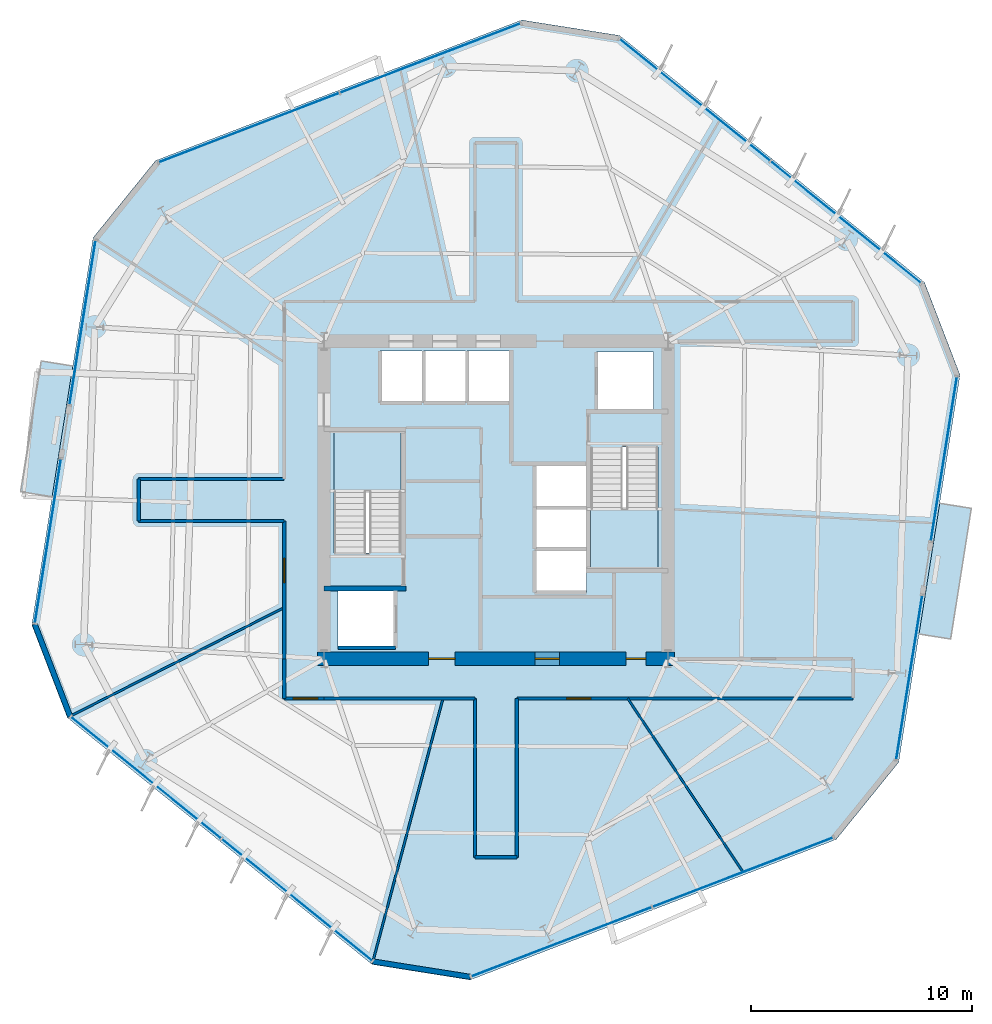
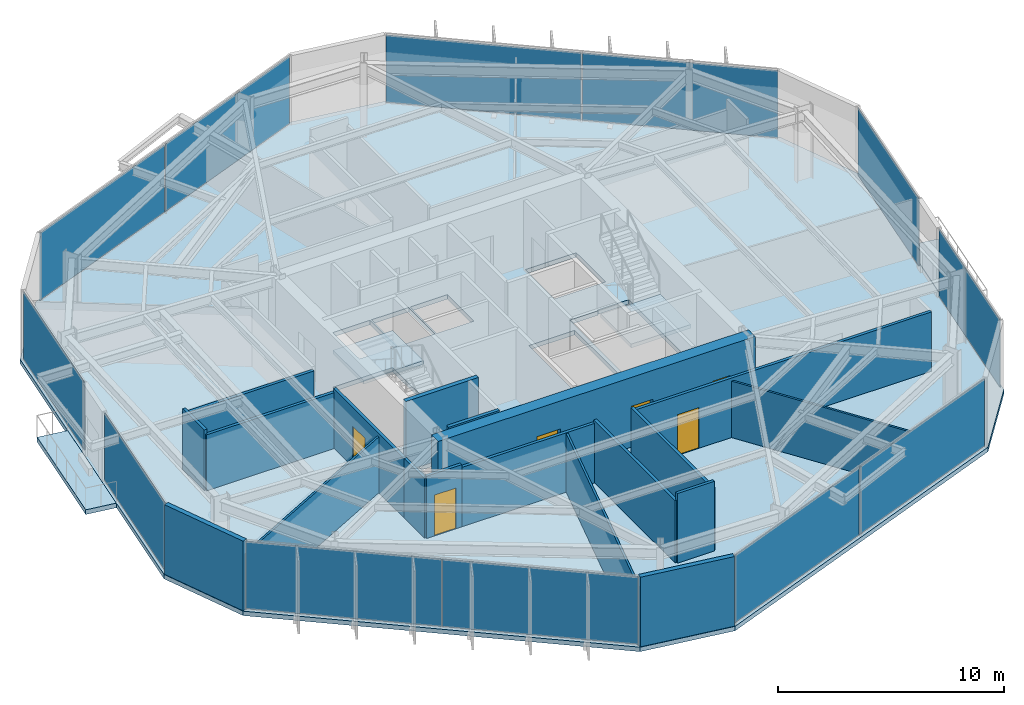
# One storey, part 6 of 11: 19 walls, 12 plates, 6 doors, 5 slabs, 6 openings, 10 elements without a shape of their own.
"""IFC4 building model written with IfcOpenShell, lengths in metres."""

from ifc_helpers import new_model, si_unit, direction, frame, frame_2d, origin, origin_2d, place, context, subcontext, project, spatial, polyline, rectangle, outline, extrude, material, layer, layer_set, type_object, element, fill, aggregate, save


model = new_model("IFC4")

# Units and contexts
model_context = context("Model", 3, precision=1e-05, world=origin(), true_north=direction((0.0, 1.0)))
body_context = subcontext(model_context, "Body", "Model", "MODEL_VIEW")
ifc_project = project(units=[si_unit("LENGTHUNIT", "METRE"), si_unit("AREAUNIT", "SQUARE_METRE"), si_unit("VOLUMEUNIT", "CUBIC_METRE"), si_unit("PLANEANGLEUNIT", "RADIAN"), si_unit("MASSUNIT", "GRAM", prefix="KILO")], contexts=[model_context])

# Site, building, storey
site_placement = place(None, origin())
site = spatial("IfcSite", under=ifc_project, at=site_placement, CompositionType="ELEMENT")
building_placement = place(site_placement, origin())
building = spatial("IfcBuilding", under=site, at=building_placement, Name="Kranzbogen Civic Tower", CompositionType="ELEMENT")
storey_placement = place(building_placement, frame((0.0, 0.0, 106.39990234375)))
storey = spatial("IfcBuildingStorey", under=building, at=storey_placement, Name="L25", CompositionType="ELEMENT", Elevation=106.39990234375)

# Slab
ifc_material_1 = material(Name="Concrete C40/50", Category="concrete")
ifc_layer_1 = layer(ifc_material_1, 0.239990234375, Name="Concrete C40/50")
ifc_layer_set_1 = layer_set([ifc_layer_1], Name="Concrete C40/50")
slab_type_1 = type_object("IfcSlabType", Name="Composite Lower Tower Floor Slab 240 mm", PredefinedType="FLOOR", material=ifc_layer_set_1)
slab_1_placement = place(storey_placement, frame((0.0, 0.0, -0.239990234375)))
element("IfcSlab", 1, at=slab_1_placement, inside=storey, type_object=slab_type_1, Name="L25 tower floor slab", PredefinedType="FLOOR", context=body_context, shape_type="SweptSolid", body=[
    extrude(outline(polyline([(44.43310546875, 34.8701171875), (30.614013671875, 46.06103515625), (26.1689453125, 46.764892578125), (9.568115234375, 40.39208984375), (6.736083984375, 36.89501953125), (3.9541015625, 19.3310546875), (5.56689453125, 15.1298828125), (19.385986328125, 3.93896484375), (23.8310546875, 3.235107421875), (40.431884765625, 9.60791015625), (43.263916015625, 13.10498046875), (46.0458984375, 30.6689453125), (44.43310546875, 34.8701171875)]), holes=[polyline([(20.449951171875, 20.89990234375), (20.449951171875, 18.300048828125), (17.85009765625, 18.300048828125), (17.85009765625, 20.89990234375), (20.449951171875, 20.89990234375)]), polyline([(29.10009765625, 22.699951171875), (29.10009765625, 20.800048828125), (26.75, 20.800048828125), (26.75, 22.699951171875), (29.10009765625, 22.699951171875)]), polyline([(29.10009765625, 24.64990234375), (29.10009765625, 22.77490234375), (26.75, 22.77490234375), (26.75, 24.64990234375), (26.75, 24.675048828125), (26.75, 26.550048828125), (29.10009765625, 26.550048828125), (29.10009765625, 24.675048828125), (29.10009765625, 24.64990234375)]), polyline([(30.75, 27.340087890625), (30.75, 27.39990234375), (32.35009765625, 27.39990234375), (32.35009765625, 21.89990234375), (29.300048828125, 21.89990234375), (29.300048828125, 27.340087890625), (30.75, 27.340087890625)]), polyline([(19.25, 22.659912109375), (19.25, 22.60009765625), (17.64990234375, 22.60009765625), (17.64990234375, 28.10009765625), (20.699951171875, 28.10009765625), (20.699951171875, 22.659912109375), (19.25, 22.659912109375)]), polyline([(32.14990234375, 31.699951171875), (32.14990234375, 29.10009765625), (29.550048828125, 29.10009765625), (29.550048828125, 31.699951171875), (32.14990234375, 31.699951171875)]), polyline([(21.64990234375, 31.75), (21.64990234375, 29.39990234375), (19.75, 29.39990234375), (19.75, 31.75), (21.64990234375, 31.75)]), polyline([(23.625, 29.39990234375), (21.72509765625, 29.39990234375), (21.72509765625, 31.75), (23.625, 31.75), (23.625, 29.39990234375)]), polyline([(25.60009765625, 29.39990234375), (23.699951171875, 29.39990234375), (23.699951171875, 31.75), (25.60009765625, 31.75), (25.60009765625, 29.39990234375)])]), origin(), (0.0, 0.0, 1.0), 0.239990234375),
])

# Curtain wall, plates
ifc_material_2 = material(Name="Pale Anodised Aluminium", Category="aluminium")
ifc_layer_2 = layer(ifc_material_2, 0.219970703125, Name="Pale Anodised Aluminium")
ifc_layer_set_2 = layer_set([ifc_layer_2], Name="Pale Anodised Aluminium")
curtain_wall_type = type_object("IfcCurtainWallType", Name="Zone 2 Stick Curtain Wall System CW-03", PredefinedType="USERDEFINED", material=ifc_layer_set_2)
curtain_wall_1_placement = place(storey_placement, origin())
curtain_wall_1 = element("IfcCurtainWall", 2, at=curtain_wall_1_placement, inside=storey, type_object=curtain_wall_type, Name="L25 curtain wall CW-L25-F1", ObjectType="STICK CURTAIN WALL", PredefinedType="USERDEFINED")
ifc_material_3 = material(Name="Low-E Triple Glazing Glass", Category="glass")
ifc_layer_3 = layer(ifc_material_3, 0.031982421875, Name="Low-E Triple Glazing Glass")
ifc_layer_set_3 = layer_set([ifc_layer_3], Name="Low-E Triple Glazing Glass")
plate_type = type_object("IfcPlateType", Name="Insulated Low-E Glazing Panel 32 mm", PredefinedType="CURTAIN_PANEL", material=ifc_layer_set_3)
plate_1_placement = place(storey_placement, frame((40.86376953125, 37.59619140625, 0.06005859375), z_axis=(0.0, 0.0, 1.0), x_axis=(-0.777127546446, 0.629343131014, 0.0)))
plate_1 = element("IfcPlate", 3, at=plate_1_placement, type_object=plate_type, Name="CW-03 panel 1.1", PredefinedType="CURTAIN_PANEL", context=body_context, shape_type="SweptSolid", body=[
    extrude(rectangle(XDim=8.743896484375, YDim=0.028076171875, at=origin_2d()), origin(), (0.0, 0.0, 1.0), 3.639892578125),
])
plate_2_placement = place(storey_placement, frame((34.022216796875, 43.13671875, 0.06005859375), z_axis=(0.0, 0.0, 1.0), x_axis=(-0.777127546446, 0.629343131014, 0.0)))
plate_2 = element("IfcPlate", 4, at=plate_2_placement, type_object=plate_type, Name="CW-03 panel 2.1", PredefinedType="CURTAIN_PANEL", context=body_context, shape_type="SweptSolid", body=[
    extrude(rectangle(XDim=8.743896484375, YDim=0.028076171875, at=origin_2d()), origin(), (0.0, 0.0, 1.0), 3.639892578125),
])
aggregate(curtain_wall_1, [plate_1, plate_2])

curtain_wall_2_placement = place(storey_placement, origin())
curtain_wall_2 = element("IfcCurtainWall", 5, at=curtain_wall_2_placement, inside=storey, type_object=curtain_wall_type, Name="L25 curtain wall CW-L25-F2", ObjectType="STICK CURTAIN WALL", PredefinedType="USERDEFINED")
plate_3_placement = place(storey_placement, frame((22.0234375, 45.03662109375, 0.06005859375), z_axis=(0.0, 0.0, 1.0), x_axis=(-0.933570075247, -0.358394914309, 0.0)))
plate_3 = element("IfcPlate", 6, at=plate_3_placement, type_object=plate_type, Name="CW-03 panel 1.1", PredefinedType="CURTAIN_PANEL", context=body_context, shape_type="SweptSolid", body=[
    extrude(rectangle(XDim=8.743896484375, YDim=0.028076171875, at=origin_2d()), origin(), (0.0, 0.0, 1.0), 3.639892578125),
])
plate_4_placement = place(storey_placement, frame((13.804443359375, 41.88134765625, 0.06005859375), z_axis=(0.0, 0.0, 1.0), x_axis=(-0.933570075247, -0.358394914309, 0.0)))
plate_4 = element("IfcPlate", 7, at=plate_4_placement, type_object=plate_type, Name="CW-03 panel 2.1", PredefinedType="CURTAIN_PANEL", context=body_context, shape_type="SweptSolid", body=[
    extrude(rectangle(XDim=8.743896484375, YDim=0.028076171875, at=origin_2d()), origin(), (0.0, 0.0, 1.0), 3.639892578125),
])
aggregate(curtain_wall_2, [plate_3, plate_4])

# Curtain wall, plate
curtain_wall_3_placement = place(storey_placement, origin())
curtain_wall_3 = element("IfcCurtainWall", 8, at=curtain_wall_3_placement, inside=storey, type_object=curtain_wall_type, Name="L25 curtain wall CW-L25-F3-S1", ObjectType="STICK CURTAIN WALL", PredefinedType="USERDEFINED")
plate_5_placement = place(storey_placement, frame((6.256103515625, 33.048583984375, 0.06005859375), z_axis=(0.0, 0.0, 1.0), x_axis=(-0.156386286729, -0.987695970085, 0.0)))
plate_5 = element("IfcPlate", 9, at=plate_5_placement, type_object=plate_type, Name="CW-03 panel 1.1", PredefinedType="CURTAIN_PANEL", context=body_context, shape_type="SweptSolid", body=[
    extrude(rectangle(XDim=7.514892578125, YDim=0.028076171875, at=origin_2d()), origin(), (0.0, 0.0, 1.0), 3.639892578125),
])
aggregate(curtain_wall_3, [plate_5])

curtain_wall_4_placement = place(storey_placement, origin())
curtain_wall_4 = element("IfcCurtainWall", 10, at=curtain_wall_4_placement, inside=storey, type_object=curtain_wall_type, Name="L25 curtain wall CW-L25-F3-S2", ObjectType="STICK CURTAIN WALL", PredefinedType="USERDEFINED")
plate_6_placement = place(storey_placement, frame((4.68603515625, 23.137451171875, 0.06005859375), z_axis=(0.0, 0.0, 1.0), x_axis=(-0.156386286729, -0.987695970085, 0.0)))
plate_6 = element("IfcPlate", 11, at=plate_6_placement, type_object=plate_type, Name="CW-03 panel 1.1", PredefinedType="CURTAIN_PANEL", context=body_context, shape_type="SweptSolid", body=[
    extrude(rectangle(XDim=7.514892578125, YDim=0.028076171875, at=origin_2d()), origin(), (0.0, 0.0, 1.0), 3.639892578125),
])
aggregate(curtain_wall_4, [plate_6])

# Curtain wall, plates
curtain_wall_5_placement = place(storey_placement, origin())
curtain_wall_5 = element("IfcCurtainWall", 12, at=curtain_wall_5_placement, inside=storey, type_object=curtain_wall_type, Name="L25 curtain wall CW-L25-F4", ObjectType="STICK CURTAIN WALL", PredefinedType="USERDEFINED")
plate_7_placement = place(storey_placement, frame((9.13623046875, 12.40380859375, 0.06005859375), z_axis=(0.0, 0.0, 1.0), x_axis=(0.777127546446, -0.629343131014, 0.0)))
plate_7 = element("IfcPlate", 13, at=plate_7_placement, type_object=plate_type, Name="CW-03 panel 1.1", PredefinedType="CURTAIN_PANEL", context=body_context, shape_type="SweptSolid", body=[
    extrude(rectangle(XDim=8.743896484375, YDim=0.028076171875, at=origin_2d()), origin(), (0.0, 0.0, 1.0), 3.639892578125),
])
plate_8_placement = place(storey_placement, frame((15.977783203125, 6.86328125, 0.06005859375), z_axis=(0.0, 0.0, 1.0), x_axis=(0.777127546446, -0.629343131014, 0.0)))
plate_8 = element("IfcPlate", 14, at=plate_8_placement, type_object=plate_type, Name="CW-03 panel 2.1", PredefinedType="CURTAIN_PANEL", context=body_context, shape_type="SweptSolid", body=[
    extrude(rectangle(XDim=8.743896484375, YDim=0.028076171875, at=origin_2d()), origin(), (0.0, 0.0, 1.0), 3.639892578125),
])
aggregate(curtain_wall_5, [plate_7, plate_8])

curtain_wall_6_placement = place(storey_placement, origin())
curtain_wall_6 = element("IfcCurtainWall", 15, at=curtain_wall_6_placement, inside=storey, type_object=curtain_wall_type, Name="L25 curtain wall CW-L25-F5", ObjectType="STICK CURTAIN WALL", PredefinedType="USERDEFINED")
plate_9_placement = place(storey_placement, frame((27.9765625, 4.96337890625, 0.06005859375), z_axis=(0.0, 0.0, 1.0), x_axis=(0.933570075247, 0.358394914309, 0.0)))
plate_9 = element("IfcPlate", 16, at=plate_9_placement, type_object=plate_type, Name="CW-03 panel 1.1", PredefinedType="CURTAIN_PANEL", context=body_context, shape_type="SweptSolid", body=[
    extrude(rectangle(XDim=8.743896484375, YDim=0.028076171875, at=origin_2d()), origin(), (0.0, 0.0, 1.0), 3.639892578125),
])
plate_10_placement = place(storey_placement, frame((36.195556640625, 8.11865234375, 0.06005859375), z_axis=(0.0, 0.0, 1.0), x_axis=(0.933570075247, 0.358394914309, 0.0)))
plate_10 = element("IfcPlate", 17, at=plate_10_placement, type_object=plate_type, Name="CW-03 panel 2.1", PredefinedType="CURTAIN_PANEL", context=body_context, shape_type="SweptSolid", body=[
    extrude(rectangle(XDim=8.743896484375, YDim=0.028076171875, at=origin_2d()), origin(), (0.0, 0.0, 1.0), 3.639892578125),
])
aggregate(curtain_wall_6, [plate_9, plate_10])

# Curtain wall, plate
curtain_wall_7_placement = place(storey_placement, origin())
curtain_wall_7 = element("IfcCurtainWall", 18, at=curtain_wall_7_placement, inside=storey, type_object=curtain_wall_type, Name="L25 curtain wall CW-L25-F6-S1", ObjectType="STICK CURTAIN WALL", PredefinedType="USERDEFINED")
plate_11_placement = place(storey_placement, frame((43.743896484375, 16.951416015625, 0.06005859375), z_axis=(0.0, 0.0, 1.0), x_axis=(0.156386286729, 0.987695970085, 0.0)))
plate_11 = element("IfcPlate", 19, at=plate_11_placement, type_object=plate_type, Name="CW-03 panel 1.1", PredefinedType="CURTAIN_PANEL", context=body_context, shape_type="SweptSolid", body=[
    extrude(rectangle(XDim=7.514892578125, YDim=0.028076171875, at=origin_2d()), origin(), (0.0, 0.0, 1.0), 3.639892578125),
])
aggregate(curtain_wall_7, [plate_11])

curtain_wall_8_placement = place(storey_placement, origin())
curtain_wall_8 = element("IfcCurtainWall", 20, at=curtain_wall_8_placement, inside=storey, type_object=curtain_wall_type, Name="L25 curtain wall CW-L25-F6-S2", ObjectType="STICK CURTAIN WALL", PredefinedType="USERDEFINED")
plate_12_placement = place(storey_placement, frame((45.31396484375, 26.862548828125, 0.06005859375), z_axis=(0.0, 0.0, 1.0), x_axis=(0.156386286729, 0.987695970085, 0.0)))
plate_12 = element("IfcPlate", 21, at=plate_12_placement, type_object=plate_type, Name="CW-03 panel 1.1", PredefinedType="CURTAIN_PANEL", context=body_context, shape_type="SweptSolid", body=[
    extrude(rectangle(XDim=7.514892578125, YDim=0.028076171875, at=origin_2d()), origin(), (0.0, 0.0, 1.0), 3.639892578125),
])
aggregate(curtain_wall_8, [plate_12])

# Stair, slab
ifc_material_4 = material(Name="Precast concrete C40/50", Category="concrete")
stair_type_1 = type_object("IfcStairType", Name="Tower Core Pressurized Dogleg Stair 1450", PredefinedType="HALF_TURN_STAIR", material=ifc_material_4)
stair_1_placement = place(storey_placement, origin())
stair_1 = element("IfcStair", 22, at=stair_1_placement, inside=storey, type_object=stair_type_1, Name="L25 Tower Core Pressurized Stair 1", PredefinedType="HALF_TURN_STAIR")
ifc_layer_4 = layer(ifc_material_4, 0.199951171875, Name="Precast concrete C40/50")
ifc_layer_set_4 = layer_set([ifc_layer_4], Name="Precast concrete C40/50")
slab_type_2 = type_object("IfcSlabType", Name="Precast Concrete Stair Landing Slab 200 mm", PredefinedType="LANDING", material=ifc_layer_set_4)
slab_2_placement = place(storey_placement, frame((0.0, 0.0, 1.800048828125)))
slab_2 = element("IfcSlab", 23, at=slab_2_placement, type_object=slab_type_2, Name="ST-T1 landing 1", PredefinedType="LANDING", context=body_context, shape_type="SweptSolid", body=[
    extrude(outline(polyline([(20.699951171875, 25.39990234375), (20.699951171875, 28.10009765625), (17.64990234375, 28.10009765625), (17.64990234375, 25.39990234375), (20.699951171875, 25.39990234375)])), origin(), (0.0, 0.0, 1.0), 0.199951171875),
])
aggregate(stair_1, [slab_2])

stair_type_2 = type_object("IfcStairType", Name="Tower Core Secondary Dogleg Stair 1450", PredefinedType="HALF_TURN_STAIR", material=ifc_material_4)
stair_2_placement = place(storey_placement, origin())
stair_2 = element("IfcStair", 24, at=stair_2_placement, inside=storey, type_object=stair_type_2, Name="L25 Tower Core Pressurized Stair 2", PredefinedType="HALF_TURN_STAIR")
slab_3_placement = place(storey_placement, frame((0.0, 0.0, 1.800048828125)))
slab_3 = element("IfcSlab", 25, at=slab_3_placement, type_object=slab_type_2, Name="ST-T2 landing 1", PredefinedType="LANDING", context=body_context, shape_type="SweptSolid", body=[
    extrude(outline(polyline([(29.300048828125, 24.60009765625), (29.300048828125, 21.89990234375), (32.35009765625, 21.89990234375), (32.35009765625, 24.60009765625), (29.300048828125, 24.60009765625)])), origin(), (0.0, 0.0, 1.0), 0.199951171875),
])
aggregate(stair_2, [slab_3])

# Slabs
ifc_layer_5 = layer(ifc_material_1, 0.25, Name="Concrete C40/50")
ifc_layer_set_5 = layer_set([ifc_layer_5], Name="Concrete C40/50")
slab_type_3 = type_object("IfcSlabType", Name="Tree Balcony Cantilevered Slab 250 mm", PredefinedType="FLOOR", material=ifc_layer_set_5)
slab_4_placement = place(storey_placement, frame((0.0, 0.0, -0.25)))
element("IfcSlab", 26, at=slab_4_placement, inside=storey, type_object=slab_type_3, Name="L25 cantilevered tree balcony L25-TB1", PredefinedType="FLOOR", context=body_context, shape_type="SweptSolid", body=[
    extrude(outline(polyline([(44.18603515625, 18.924072265625), (45.1240234375, 24.85009765625), (46.555908203125, 24.623046875), (45.617919921875, 18.697021484375), (44.18603515625, 18.924072265625)])), origin(), (0.0, 0.0, 1.0), 0.25),
])
slab_5_placement = place(storey_placement, frame((0.0, 0.0, -0.25)))
element("IfcSlab", 27, at=slab_5_placement, inside=storey, type_object=slab_type_3, Name="L25 cantilevered tree balcony L25-TB2", PredefinedType="FLOOR", context=body_context, shape_type="SweptSolid", body=[
    extrude(outline(polyline([(5.81396484375, 31.075927734375), (4.8759765625, 25.14990234375), (3.444091796875, 25.376953125), (4.382080078125, 31.302978515625), (5.81396484375, 31.075927734375)])), origin(), (0.0, 0.0, 1.0), 0.25),
])

# Wall, opening, door
ifc_material_5 = material(Name="Double-Stud Acoustic Gypsum Partition")
ifc_layer_6 = layer(ifc_material_5, 0.14990234375, Name="Double-Stud Acoustic Gypsum Partition")
ifc_layer_set_6 = layer_set([ifc_layer_6], Name="Double-Stud Acoustic Gypsum Partition")
wall_type_1 = type_object("IfcWallType", Name="Acoustic Corridor and Clinical Partition 150 mm", PredefinedType="PARTITIONING", material=ifc_layer_set_6)
wall_1_placement = place(storey_placement, frame((17.199951171875, 16.0, 0.0), z_axis=(0.0, 0.0, 1.0), x_axis=(-1.0, 0.0, 0.0)))
wall_1 = element("IfcWall", 28, at=wall_1_placement, inside=storey, type_object=wall_type_1, Name="L25 corridor partition 01", PredefinedType="PARTITIONING", context=body_context, shape_type="SweptSolid", body=[
    extrude(rectangle(XDim=1.800048828125, YDim=0.14990234375, at=frame_2d((0.89990234375, 0.0))), origin(), (0.0, 0.0, 1.0), 3.360107421875),
])
opening_1_placement = place(wall_1_placement, frame((0.287109375, 0.0, 0.0)))
opening_1 = element("IfcOpeningElement", 29, at=opening_1_placement, cuts=wall_1, Name="Opening D-COR60", PredefinedType="OPENING", context=body_context, shape_type="SweptSolid", body=[
    extrude(rectangle(XDim=1.10009765625, YDim=2.199951171875, at=frame_2d((0.550048828125, 1.10009765625))), frame((0.0, 0.0849609375, 0.0), z_axis=(0.0, -1.0, 0.0), x_axis=(1.0, 0.0, 0.0)), (0.0, 0.0, 1.0), 0.169921875),
])
ifc_material_6 = material(Name="Oak Timber and Fire Core", Category="wood")
door_type_1 = type_object("IfcDoorType", Name="Corridor Acoustic Fire Door 1100x2200", OperationType="NOTDEFINED", PredefinedType="DOOR", material=ifc_material_6)
door_1_placement = place(opening_1_placement, origin())
door_1 = element("IfcDoor", 30, at=door_1_placement, inside=storey, type_object=door_type_1, Name="L25 Executive Briefing Conference Room door", OperationType="SINGLE_SWING_RIGHT", OverallHeight=2.199951171875, OverallWidth=1.10009765625, PredefinedType="DOOR", context=body_context, shape_type="SweptSolid", body=[
    extrude(rectangle(XDim=1.10009765625, YDim=2.199951171875, at=frame_2d((0.550048828125, 1.10009765625))), frame((0.0, 0.02490234375, 0.0), z_axis=(0.0, -1.0, 0.0), x_axis=(1.0, 0.0, 0.0)), (0.0, 0.0, 1.0), 0.050048828125),
])
fill(opening_1, door_1)

# Wall
wall_2_placement = place(storey_placement, frame((15.39990234375, 16.0, 0.0), z_axis=(0.0, 0.0, 1.0), x_axis=(0.0, 1.0, 0.0)))
element("IfcWall", 31, at=wall_2_placement, inside=storey, type_object=wall_type_1, Name="L25 corridor partition 02", PredefinedType="PARTITIONING", context=body_context, shape_type="SweptSolid", body=[
    extrude(rectangle(XDim=1.800048828125, YDim=0.14990234375, at=frame_2d((0.89990234375, 0.0))), origin(), (0.0, 0.0, 1.0), 3.210205078125),
])

# Wall, opening, door
wall_3_placement = place(storey_placement, frame((15.39990234375, 17.800048828125, 0.0), z_axis=(0.0, 0.0, 1.0), x_axis=(0.0, 1.0, 0.0)))
wall_3 = element("IfcWall", 32, at=wall_3_placement, inside=storey, type_object=wall_type_1, Name="L25 corridor partition 03", PredefinedType="PARTITIONING", context=body_context, shape_type="SweptSolid", body=[
    extrude(rectangle(XDim=6.25, YDim=0.14990234375, at=frame_2d((3.125, 0.0))), origin(), (0.0, 0.0, 1.0), 3.210205078125),
])
opening_2_placement = place(wall_3_placement, frame((3.450927734375, 0.0, 0.0)))
opening_2 = element("IfcOpeningElement", 33, at=opening_2_placement, cuts=wall_3, Name="Opening D-COR60", PredefinedType="OPENING", context=body_context, shape_type="SweptSolid", body=[
    extrude(rectangle(XDim=1.10009765625, YDim=2.199951171875, at=frame_2d((0.550048828125, 1.10009765625))), frame((0.0, 0.0849609375, 0.0), z_axis=(0.0, -1.0, 0.0), x_axis=(1.0, 0.0, 0.0)), (0.0, 0.0, 1.0), 0.169921875),
])
door_2_placement = place(opening_2_placement, origin())
door_2 = element("IfcDoor", 34, at=door_2_placement, inside=storey, type_object=door_type_1, Name="L25 Public Delegation Reception door", OperationType="SINGLE_SWING_RIGHT", OverallHeight=2.199951171875, OverallWidth=1.10009765625, PredefinedType="DOOR", context=body_context, shape_type="SweptSolid", body=[
    extrude(rectangle(XDim=1.10009765625, YDim=2.199951171875, at=frame_2d((0.550048828125, 1.10009765625))), frame((0.0, 0.02490234375, 0.0), z_axis=(0.0, -1.0, 0.0), x_axis=(1.0, 0.0, 0.0)), (0.0, 0.0, 1.0), 0.050048828125),
])
fill(opening_2, door_2)

# Walls
wall_4_placement = place(storey_placement, frame((15.39990234375, 24.050048828125, 0.0), z_axis=(0.0, 0.0, 1.0), x_axis=(-1.0, 0.0, 0.0)))
element("IfcWall", 35, at=wall_4_placement, inside=storey, type_object=wall_type_1, Name="L25 corridor partition 04", PredefinedType="PARTITIONING", context=body_context, shape_type="SweptSolid", body=[
    extrude(rectangle(XDim=6.599853515625, YDim=0.14990234375, at=frame_2d((3.2998046875, 0.0))), origin(), (0.0, 0.0, 1.0), 3.02001953125),
])
wall_5_placement = place(storey_placement, frame((8.800048828125, 24.050048828125, 0.0), z_axis=(0.0, 0.0, 1.0), x_axis=(0.0, 1.0, 0.0)))
element("IfcWall", 36, at=wall_5_placement, inside=storey, type_object=wall_type_1, Name="L25 corridor partition 05", PredefinedType="PARTITIONING", context=body_context, shape_type="SweptSolid", body=[
    extrude(rectangle(XDim=1.89990234375, YDim=0.14990234375, at=frame_2d((0.949951171875, 0.0))), origin(), (0.0, 0.0, 1.0), 3.27001953125),
])
wall_6_placement = place(storey_placement, frame((8.800048828125, 25.949951171875, 0.0), z_axis=(0.0, 0.0, 1.0), x_axis=(1.0, 0.0, 0.0)))
element("IfcWall", 37, at=wall_6_placement, inside=storey, type_object=wall_type_1, Name="L25 corridor partition 06", PredefinedType="PARTITIONING", context=body_context, shape_type="SweptSolid", body=[
    extrude(rectangle(XDim=6.599853515625, YDim=0.14990234375, at=frame_2d((3.2998046875, 0.0))), origin(), (0.0, 0.0, 1.0), 3.02001953125),
])

# Wall, opening, door
wall_7_placement = place(storey_placement, frame((41.196044921875, 16.0, 0.0), z_axis=(0.0, 0.0, 1.0), x_axis=(-1.0, 0.0, 0.0)))
wall_7 = element("IfcWall", 38, at=wall_7_placement, inside=storey, type_object=wall_type_1, Name="L25 corridor partition 19", PredefinedType="PARTITIONING", context=body_context, shape_type="SweptSolid", body=[
    extrude(rectangle(XDim=15.24609375, YDim=0.14990234375, at=frame_2d((7.623046875, 0.0))), origin(), (0.0, 0.0, 1.0), 3.210205078125),
])
opening_3_placement = place(wall_7_placement, frame((11.885009765625, 0.0, 0.0)))
opening_3 = element("IfcOpeningElement", 39, at=opening_3_placement, cuts=wall_7, Name="Opening D-COR60", PredefinedType="OPENING", context=body_context, shape_type="SweptSolid", body=[
    extrude(rectangle(XDim=1.10009765625, YDim=2.199951171875, at=frame_2d((0.550048828125, 1.10009765625))), frame((0.0, 0.0849609375, 0.0), z_axis=(0.0, -1.0, 0.0), x_axis=(1.0, 0.0, 0.0)), (0.0, 0.0, 1.0), 0.169921875),
])
door_3_placement = place(opening_3_placement, origin())
door_3 = element("IfcDoor", 40, at=door_3_placement, inside=storey, type_object=door_type_1, Name="L25 Parliamentary Review Boardroom door", OperationType="SINGLE_SWING_LEFT", OverallHeight=2.199951171875, OverallWidth=1.10009765625, PredefinedType="DOOR", context=body_context, shape_type="SweptSolid", body=[
    extrude(rectangle(XDim=1.10009765625, YDim=2.199951171875, at=frame_2d((0.550048828125, 1.10009765625))), frame((0.0, 0.02490234375, 0.0), z_axis=(0.0, -1.0, 0.0), x_axis=(1.0, 0.0, 0.0)), (0.0, 0.0, 1.0), 0.050048828125),
])
fill(opening_3, door_3)

# Walls
wall_8_placement = place(storey_placement, frame((25.949951171875, 16.0, 0.0), z_axis=(0.0, 0.0, 1.0), x_axis=(0.0, -1.0, 0.0)))
element("IfcWall", 41, at=wall_8_placement, inside=storey, type_object=wall_type_1, Name="L25 corridor partition 20", PredefinedType="PARTITIONING", context=body_context, shape_type="SweptSolid", body=[
    extrude(rectangle(XDim=7.199951171875, YDim=0.14990234375, at=frame_2d((3.60009765625, 0.0))), origin(), (0.0, 0.0, 1.0), 3.360107421875),
])
wall_9_placement = place(storey_placement, frame((25.949951171875, 8.800048828125, 0.0), z_axis=(0.0, 0.0, 1.0), x_axis=(-1.0, 0.0, 0.0)))
element("IfcWall", 42, at=wall_9_placement, inside=storey, type_object=wall_type_1, Name="L25 corridor partition 21", PredefinedType="PARTITIONING", context=body_context, shape_type="SweptSolid", body=[
    extrude(rectangle(XDim=1.89990234375, YDim=0.14990234375, at=frame_2d((0.949951171875, 0.0))), origin(), (0.0, 0.0, 1.0), 3.760009765625),
])
wall_10_placement = place(storey_placement, frame((24.050048828125, 8.800048828125, 0.0), z_axis=(0.0, 0.0, 1.0), x_axis=(0.0, 1.0, 0.0)))
element("IfcWall", 43, at=wall_10_placement, inside=storey, type_object=wall_type_1, Name="L25 corridor partition 22", PredefinedType="PARTITIONING", context=body_context, shape_type="SweptSolid", body=[
    extrude(rectangle(XDim=7.199951171875, YDim=0.14990234375, at=frame_2d((3.60009765625, 0.0))), origin(), (0.0, 0.0, 1.0), 3.360107421875),
])
wall_11_placement = place(storey_placement, frame((24.050048828125, 16.0, 0.0), z_axis=(0.0, 0.0, 1.0), x_axis=(-1.0, 0.0, 0.0)))
element("IfcWall", 44, at=wall_11_placement, inside=storey, type_object=wall_type_1, Name="L25 corridor partition 23", PredefinedType="PARTITIONING", context=body_context, shape_type="SweptSolid", body=[
    extrude(rectangle(XDim=6.85009765625, YDim=0.14990234375, at=frame_2d((3.425048828125, 0.0))), origin(), (0.0, 0.0, 1.0), 3.210205078125),
])

# Wall, openings, doors
ifc_material_7 = material(Name="Concrete C55/67", Category="concrete")
ifc_layer_7 = layer(ifc_material_7, 0.60009765625, Name="Concrete C55/67")
ifc_layer_set_7 = layer_set([ifc_layer_7], Name="Concrete C55/67")
wall_type_2 = type_object("IfcWallType", Name="Central Core Shear Wall 600 mm", PredefinedType="SHEAR", material=ifc_layer_set_7)
wall_12_placement = place(storey_placement, frame((16.89990234375, 17.800048828125, 0.0), z_axis=(0.0, 0.0, 1.0), x_axis=(1.0, 0.0, 0.0)))
wall_12 = element("IfcWall", 45, at=wall_12_placement, inside=storey, type_object=wall_type_2, Name="L25 central core South shear wall", PredefinedType="SHEAR", context=body_context, shape_type="SweptSolid", body=[
    extrude(rectangle(XDim=16.2001953125, YDim=0.60009765625, at=frame_2d((8.10009765625, 0.0))), origin(), (0.0, 0.0, 1.0), 3.760009765625),
])
opening_4_placement = place(wall_12_placement, frame((5.050048828125, 0.0, 0.0)))
opening_4 = element("IfcOpeningElement", 46, at=opening_4_placement, cuts=wall_12, Name="Opening D-EX120", PredefinedType="OPENING", context=body_context, shape_type="SweptSolid", body=[
    extrude(rectangle(XDim=1.199951171875, YDim=2.25, at=frame_2d((0.60009765625, 1.125))), frame((0.0, 0.31005859375, 0.0), z_axis=(0.0, -1.0, 0.0), x_axis=(1.0, 0.0, 0.0)), (0.0, 0.0, 1.0), 0.6201171875),
])
opening_5_placement = place(wall_12_placement, frame((14.0, 0.0, 0.0)))
opening_5 = element("IfcOpeningElement", 47, at=opening_5_placement, cuts=wall_12, Name="Opening D-WC90", PredefinedType="OPENING", context=body_context, shape_type="SweptSolid", body=[
    extrude(rectangle(XDim=0.89990234375, YDim=2.10009765625, at=frame_2d((0.449951171875, 1.050048828125))), frame((0.0, 0.31005859375, 0.0), z_axis=(0.0, -1.0, 0.0), x_axis=(1.0, 0.0, 0.0)), (0.0, 0.0, 1.0), 0.6201171875),
])
opening_6_placement = place(wall_12_placement, frame((9.875, 0.0, 0.0)))
opening_6 = element("IfcOpeningElement", 48, at=opening_6_placement, cuts=wall_12, Name="Opening D-COR60", PredefinedType="OPENING", context=body_context, shape_type="SweptSolid", body=[
    extrude(rectangle(XDim=1.10009765625, YDim=2.199951171875, at=frame_2d((0.550048828125, 1.10009765625))), frame((0.0, 0.31005859375, 0.0), z_axis=(0.0, -1.0, 0.0), x_axis=(1.0, 0.0, 0.0)), (0.0, 0.0, 1.0), 0.6201171875),
])
door_4_placement = place(opening_6_placement, origin())
door_4 = element("IfcDoor", 49, at=door_4_placement, inside=storey, type_object=door_type_1, Name="L25 REC1 archive room door", OperationType="SINGLE_SWING_LEFT", OverallHeight=2.199951171875, OverallWidth=1.10009765625, PredefinedType="DOOR", context=body_context, shape_type="SweptSolid", body=[
    extrude(rectangle(XDim=1.10009765625, YDim=2.199951171875, at=frame_2d((0.550048828125, 1.10009765625))), frame((0.0, 0.02490234375, 0.0), z_axis=(0.0, -1.0, 0.0), x_axis=(1.0, 0.0, 0.0)), (0.0, 0.0, 1.0), 0.050048828125),
])
fill(opening_6, door_4)
ifc_material_8 = material(Name="Steel S355", Category="steel")
door_type_2 = type_object("IfcDoorType", Name="Exit Passageway Fire Door 1200x2250", OperationType="NOTDEFINED", PredefinedType="DOOR", material=ifc_material_8)
door_5_placement = place(opening_4_placement, origin())
door_5 = element("IfcDoor", 50, at=door_5_placement, inside=storey, type_object=door_type_2, Name="L25 West firefighting lobby corridor door", OperationType="SINGLE_SWING_RIGHT", OverallHeight=2.25, OverallWidth=1.199951171875, PredefinedType="DOOR", context=body_context, shape_type="SweptSolid", body=[
    extrude(rectangle(XDim=1.199951171875, YDim=2.25, at=frame_2d((0.60009765625, 1.125))), frame((0.0, 0.02490234375, 0.0), z_axis=(0.0, -1.0, 0.0), x_axis=(1.0, 0.0, 0.0)), (0.0, 0.0, 1.0), 0.050048828125),
])
fill(opening_4, door_5)
ifc_material_9 = material(Name="Moisture-Resistant Laminate")
door_type_3 = type_object("IfcDoorType", Name="Standard Restroom and Store Door 900x2100", OperationType="NOTDEFINED", PredefinedType="DOOR", material=ifc_material_9)
door_6_placement = place(opening_5_placement, origin())
door_6 = element("IfcDoor", 51, at=door_6_placement, inside=storey, type_object=door_type_3, Name="L25 East electrical riser access door", OperationType="SINGLE_SWING_RIGHT", OverallHeight=2.10009765625, OverallWidth=0.89990234375, PredefinedType="DOOR", context=body_context, shape_type="SweptSolid", body=[
    extrude(rectangle(XDim=0.89990234375, YDim=2.10009765625, at=frame_2d((0.449951171875, 1.050048828125))), frame((0.0, 0.02490234375, 0.0), z_axis=(0.0, -1.0, 0.0), x_axis=(1.0, 0.0, 0.0)), (0.0, 0.0, 1.0), 0.050048828125),
])
fill(opening_5, door_6)

# Walls
ifc_material_10 = material(Name="Concrete C45/55", Category="concrete")
ifc_layer_8 = layer(ifc_material_10, 0.219970703125, Name="Concrete C45/55")
ifc_layer_set_8 = layer_set([ifc_layer_8], Name="Concrete C45/55")
wall_type_3 = type_object("IfcWallType", Name="Core Internal Stair Structural Wall 220 mm", PredefinedType="SOLIDWALL", material=ifc_layer_set_8)
wall_13_placement = place(storey_placement, frame((17.199951171875, 20.989990234375, 0.0), z_axis=(0.0, 0.0, 1.0), x_axis=(1.0, 0.0, 0.0)))
element("IfcWall", 52, at=wall_13_placement, inside=storey, type_object=wall_type_3, Name="L25 ST-T1 South structural stair wall", PredefinedType="SOLIDWALL", context=body_context, shape_type="SweptSolid", body=[
    extrude(rectangle(XDim=3.719970703125, YDim=0.219970703125, at=frame_2d((1.85986328125, 0.0))), origin(), (0.0, 0.0, 1.0), 3.760009765625),
])
ifc_material_11 = material(Name="Demountable Aluminium and Gypsum Partition", Category="aluminium")
ifc_layer_9 = layer(ifc_material_11, 0.10009765625, Name="Demountable Aluminium and Gypsum Partition")
ifc_layer_set_9 = layer_set([ifc_layer_9], Name="Demountable Aluminium and Gypsum Partition")
wall_type_4 = type_object("IfcWallType", Name="Demountable Office Partition 100 mm", PredefinedType="MOVABLE", material=ifc_layer_set_9)
wall_14_placement = place(storey_placement, frame((15.39990234375, 20.1240234375, 0.0), z_axis=(0.0, 0.0, 1.0), x_axis=(-0.891588225001, -0.452847034923, 0.0)))
element("IfcWall", 53, at=wall_14_placement, inside=storey, type_object=wall_type_4, Name="L25 radial room partition 04", PredefinedType="MOVABLE", context=body_context, shape_type="SweptSolid", body=[
    extrude(rectangle(XDim=10.869384765625, YDim=0.10009765625, at=frame_2d((5.4345703125, 0.0))), origin(), (0.0, 0.0, 1.0), 3.02001953125),
])
wall_15_placement = place(storey_placement, frame((22.60107421875, 16.0, 0.0), z_axis=(0.0, 0.0, 1.0), x_axis=(-0.257557841834, -0.966262882506, 0.0)))
element("IfcWall", 54, at=wall_15_placement, inside=storey, type_object=wall_type_4, Name="L25 radial room partition 05", PredefinedType="MOVABLE", context=body_context, shape_type="SweptSolid", body=[
    extrude(rectangle(XDim=12.32373046875, YDim=0.10009765625, at=frame_2d((6.161865234375, 0.0))), origin(), (0.0, 0.0, 1.0), 3.16015625),
])
wall_16_placement = place(storey_placement, frame((30.97802734375, 16.0, 0.0), z_axis=(0.0, 0.0, 1.0), x_axis=(0.553320396836, -0.832968509876, 0.0)))
element("IfcWall", 55, at=wall_16_placement, inside=storey, type_object=wall_type_4, Name="L25 radial room partition 06", PredefinedType="MOVABLE", context=body_context, shape_type="SweptSolid", body=[
    extrude(rectangle(XDim=9.4375, YDim=0.10009765625, at=frame_2d((4.71875, 0.0))), origin(), (0.0, 0.0, 1.0), 3.050048828125),
])
ifc_material_12 = material(Name="Gypsum Fireboard Shaftliner")
ifc_layer_10 = layer(ifc_material_12, 0.175048828125, Name="Gypsum Fireboard Shaftliner")
ifc_layer_set_10 = layer_set([ifc_layer_10], Name="Gypsum Fireboard Shaftliner")
wall_type_5 = type_object("IfcWallType", Name="Fire-Rated Lift and Service Shaft Wall 175 mm", PredefinedType="PARTITIONING", material=ifc_layer_set_10)
wall_17_placement = place(storey_placement, frame((17.85009765625, 18.300048828125, 0.0), z_axis=(0.0, 0.0, 1.0), x_axis=(1.0, 0.0, 0.0)))
element("IfcWall", 56, at=wall_17_placement, inside=storey, type_object=wall_type_5, Name="L25 lift FF-01 side wall", PredefinedType="PARTITIONING", context=body_context, shape_type="SweptSolid", body=[
    extrude(rectangle(XDim=2.599853515625, YDim=0.175048828125, at=frame_2d((1.2998046875, 0.0))), origin(), (0.0, 0.0, 1.0), 3.760009765625),
])
ifc_layer_11 = layer(ifc_material_2, 0.239990234375, Name="Pale Anodised Aluminium")
ifc_layer_set_11 = layer_set([ifc_layer_11], Name="Pale Anodised Aluminium")
wall_type_6 = type_object("IfcWallType", Name="Insulated Aluminium Facade Portal Wall 240 mm", PredefinedType="STANDARD", material=ifc_layer_set_11)
wall_18_placement = place(storey_placement, frame((4.089111328125, 19.366943359375, 0.0), z_axis=(0.0, 0.0, 1.0), x_axis=(0.35848504637, -0.933535468811, 0.0)))
element("IfcWall", 57, at=wall_18_placement, inside=storey, type_object=wall_type_6, Name="L25 chamfered corner facade spandrel 3", PredefinedType="STANDARD", context=body_context, shape_type="SweptSolid", body=[
    extrude(rectangle(XDim=4.470947265625, YDim=0.239990234375, at=frame_2d((2.2353515625, 0.0))), origin(), (0.0, 0.0, 1.0), 3.760009765625),
])
wall_19_placement = place(storey_placement, frame((19.422119140625, 4.073974609375, 0.0), z_axis=(0.0, 0.0, 1.0), x_axis=(0.987709346229, -0.156301783012, 0.0)))
element("IfcWall", 58, at=wall_19_placement, inside=storey, type_object=wall_type_6, Name="L25 chamfered corner facade spandrel 4", PredefinedType="STANDARD", context=body_context, shape_type="SweptSolid", body=[
    extrude(rectangle(XDim=4.471923828125, YDim=0.239990234375, at=frame_2d((2.23583984375, 0.0))), origin(), (0.0, 0.0, 1.0), 3.760009765625),
])

save(model, "model.ifc")
